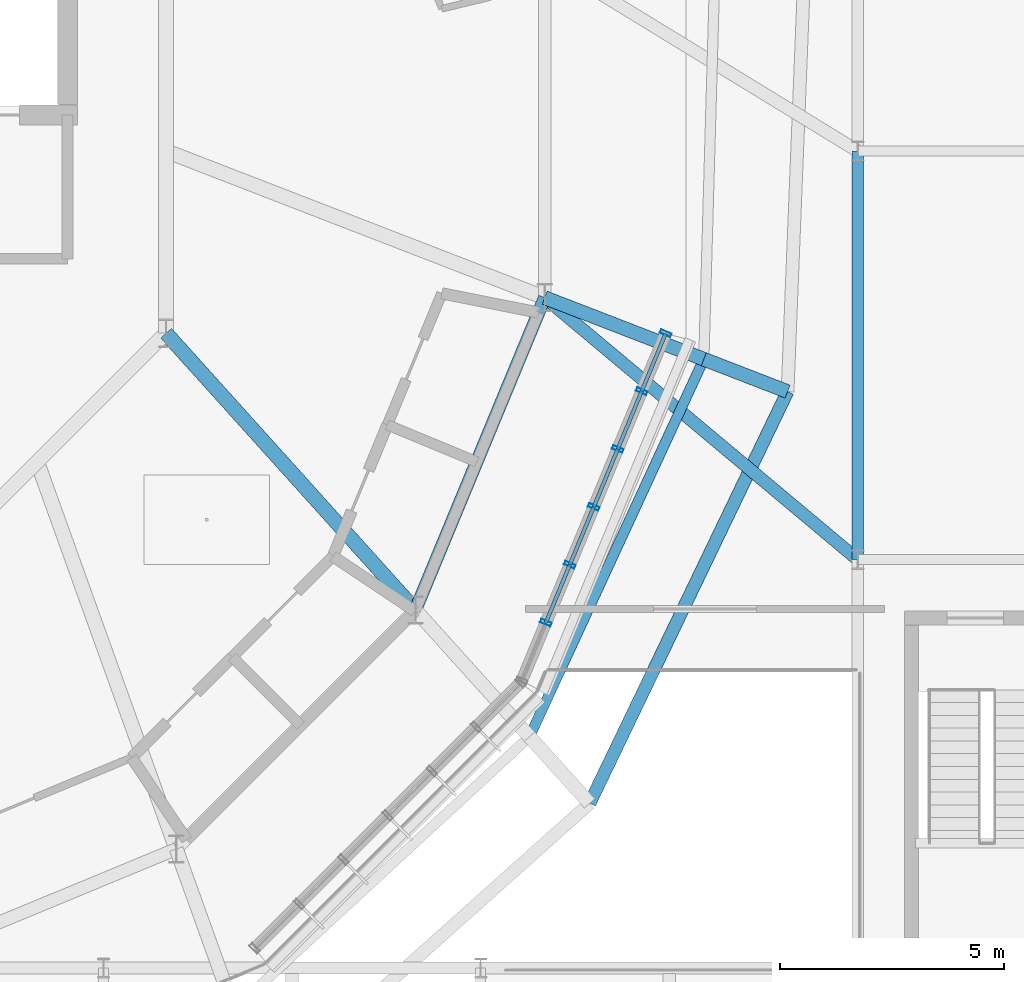
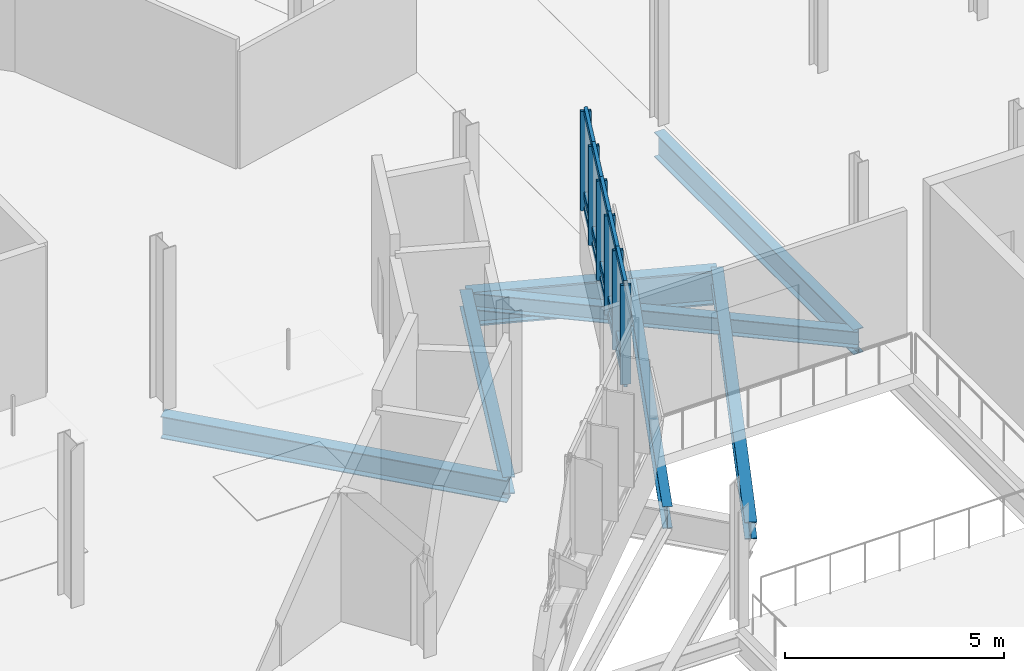
# One storey, part 32 of 139: 21 members, 8 beams, 1 element without a shape of its own.
"""IFC4 building model written with IfcOpenShell, lengths in metres."""

from ifc_helpers import new_model, si_unit, derived_unit, direction, frame, origin, origin_2d, place, context, subcontext, project, spatial, hollow_rectangle, i_section, extrude, material, layer, layer_set, material_profile, profile_set, type_object, element, aggregate, save


model = new_model("IFC4")

# Units and contexts
model_context = context("Model", 3, precision=1e-05, world=origin(), true_north=direction((0.0, 1.0)))
body_context = subcontext(model_context, "Body", "Model", "MODEL_VIEW")
ifc_project = project(units=[si_unit("LENGTHUNIT", "METRE"), si_unit("AREAUNIT", "SQUARE_METRE"), si_unit("VOLUMEUNIT", "CUBIC_METRE"), si_unit("PLANEANGLEUNIT", "RADIAN"), si_unit("MASSUNIT", "GRAM", prefix="KILO"), derived_unit("THERMALTRANSMITTANCEUNIT", [(si_unit("MASSUNIT", "GRAM", prefix="KILO"), 1), (si_unit("TIMEUNIT", "SECOND"), -3), (si_unit("THERMODYNAMICTEMPERATUREUNIT", "KELVIN"), -1)])], contexts=[model_context])

# Site, building, storey
site_placement = place(None, origin())
site = spatial("IfcSite", under=ifc_project, at=site_placement, CompositionType="ELEMENT")
building_placement = place(site_placement, origin())
building = spatial("IfcBuilding", under=site, at=building_placement, Name="Makaiwela Harbour Ferry Terminal", CompositionType="ELEMENT")
storey_placement = place(building_placement, frame((0.0, 0.0, 5.10009765625)))
storey = spatial("IfcBuildingStorey", under=building, at=storey_placement, Name="L01", CompositionType="ELEMENT", Elevation=5.10009765625)

# Curtain wall, members
ifc_material_1 = material(Name="Marine anodised aluminium 6063-T6", Category="aluminium")
ifc_layer = layer(ifc_material_1, 0.199951171875)
ifc_layer_set = layer_set([ifc_layer], Name="Marine anodised aluminium 6063-T6")
curtain_wall_type = type_object("IfcCurtainWallType", Name="ENV-CW-03", PredefinedType="USERDEFINED", material=ifc_layer_set)
curtain_wall_placement = place(storey_placement, origin())
curtain_wall = element("IfcCurtainWall", 1, at=curtain_wall_placement, inside=storey, type_object=curtain_wall_type, Name="Unitised Curtain Wall CWA-019", ObjectType="UNITIZED CURTAIN WALL", PredefinedType="USERDEFINED")
ifc_material_profile_1 = material_profile(ifc_material_1, hollow_rectangle(XDim=0.0849609375, YDim=0.25, WallThickness=0.0048828125, at=origin_2d()), Name="CWM-250X85")
ifc_profile_set_1 = profile_set([ifc_material_profile_1], Name="Marine anodised aluminium 6063-T6")
member_type_1 = type_object("IfcMemberType", Name="CW-MUL-250", PredefinedType="MULLION", material=ifc_profile_set_1)
member_1_placement = place(storey_placement, frame((56.054931640625, 57.095947265625, 1.47998046875), z_axis=(0.0, 0.0, 1.0), x_axis=(0.382683432365, 0.923879532511, 0.0)))
member_1 = element("IfcMember", 2, at=member_1_placement, type_object=member_type_1, Name="Curtain Wall Mullion CWA-019-2", PredefinedType="MULLION", context=body_context, shape_type="SweptSolid", body=[
    extrude(hollow_rectangle(XDim=0.0849609375, YDim=0.25, WallThickness=0.0048828125, at=origin_2d()), origin(), (0.0, 0.0, 1.0), 2.760009765625),
])
member_2_placement = place(storey_placement, frame((56.588623046875, 58.384521484375, 1.47998046875), z_axis=(0.0, 0.0, 1.0), x_axis=(0.382683432365, 0.923879532511, 0.0)))
member_2 = element("IfcMember", 3, at=member_2_placement, type_object=member_type_1, Name="Curtain Wall Mullion CWA-019-3", PredefinedType="MULLION", context=body_context, shape_type="SweptSolid", body=[
    extrude(hollow_rectangle(XDim=0.0849609375, YDim=0.25, WallThickness=0.0048828125, at=origin_2d()), origin(), (0.0, 0.0, 1.0), 2.760009765625),
])
member_3_placement = place(storey_placement, frame((57.122314453125, 59.6728515625, 1.47998046875), z_axis=(0.0, 0.0, 1.0), x_axis=(0.382683432365, 0.923879532511, 0.0)))
member_3 = element("IfcMember", 4, at=member_3_placement, type_object=member_type_1, Name="Curtain Wall Mullion CWA-019-4", PredefinedType="MULLION", context=body_context, shape_type="SweptSolid", body=[
    extrude(hollow_rectangle(XDim=0.0849609375, YDim=0.25, WallThickness=0.0048828125, at=origin_2d()), origin(), (0.0, 0.0, 1.0), 2.760009765625),
])
member_4_placement = place(storey_placement, frame((57.656005859375, 60.961181640625, 1.47998046875), z_axis=(0.0, 0.0, 1.0), x_axis=(0.382683432365, 0.923879532511, 0.0)))
member_4 = element("IfcMember", 5, at=member_4_placement, type_object=member_type_1, Name="Curtain Wall Mullion CWA-019-5", PredefinedType="MULLION", context=body_context, shape_type="SweptSolid", body=[
    extrude(hollow_rectangle(XDim=0.0849609375, YDim=0.25, WallThickness=0.0048828125, at=origin_2d()), origin(), (0.0, 0.0, 1.0), 2.760009765625),
])
member_5_placement = place(storey_placement, frame((58.189697265625, 62.249755859375, 1.47998046875), z_axis=(0.0, 0.0, 1.0), x_axis=(0.382683432365, 0.923879532511, 0.0)))
member_5 = element("IfcMember", 6, at=member_5_placement, type_object=member_type_1, Name="Curtain Wall Mullion CWA-019-6", PredefinedType="MULLION", context=body_context, shape_type="SweptSolid", body=[
    extrude(hollow_rectangle(XDim=0.0849609375, YDim=0.25, WallThickness=0.0048828125, at=origin_2d()), origin(), (0.0, 0.0, 1.0), 2.760009765625),
])
member_6_placement = place(storey_placement, frame((58.723388671875, 63.538330078125, 1.47998046875), z_axis=(0.0, 0.0, 1.0), x_axis=(0.382683432365, 0.923879532511, 0.0)))
member_6 = element("IfcMember", 7, at=member_6_placement, type_object=member_type_1, Name="Curtain Wall Mullion CWA-019-7", PredefinedType="MULLION", context=body_context, shape_type="SweptSolid", body=[
    extrude(hollow_rectangle(XDim=0.0849609375, YDim=0.25, WallThickness=0.0048828125, at=origin_2d()), origin(), (0.0, 0.0, 1.0), 2.760009765625),
])
ifc_material_profile_2 = material_profile(ifc_material_1, hollow_rectangle(XDim=0.0849609375, YDim=0.199951171875, WallThickness=0.0048828125, at=origin_2d()), Name="CWT-200X85")
ifc_profile_set_2 = profile_set([ifc_material_profile_2], Name="Marine anodised aluminium 6063-T6")
member_type_2 = type_object("IfcMemberType", Name="CW-TRN-200", PredefinedType="USERDEFINED", material=ifc_profile_set_2)
member_7_placement = place(storey_placement, frame((56.054931640625, 57.095947265625, 1.47998046875), z_axis=(0.382650683858, 0.923893096707, 0.0), x_axis=(-0.923893096707, 0.382650683858, 0.0)))
member_7 = element("IfcMember", 8, at=member_7_placement, type_object=member_type_2, Name="Curtain Wall Transom CWA-019-2-1", ObjectType="TRANSOM", PredefinedType="USERDEFINED", context=body_context, shape_type="SweptSolid", body=[
    extrude(hollow_rectangle(XDim=0.0849609375, YDim=0.199951171875, WallThickness=0.0048828125, at=origin_2d()), origin(), (0.0, 0.0, 1.0), 1.394775390625),
])
member_8_placement = place(storey_placement, frame((56.054931640625, 57.095947265625, 1.89990234375), z_axis=(0.382650683858, 0.923893096707, 0.0), x_axis=(-0.923893096707, 0.382650683858, 0.0)))
member_8 = element("IfcMember", 9, at=member_8_placement, type_object=member_type_2, Name="Curtain Wall Transom CWA-019-2-2", ObjectType="TRANSOM", PredefinedType="USERDEFINED", context=body_context, shape_type="SweptSolid", body=[
    extrude(hollow_rectangle(XDim=0.0849609375, YDim=0.199951171875, WallThickness=0.0048828125, at=origin_2d()), origin(), (0.0, 0.0, 1.0), 1.394775390625),
])
member_9_placement = place(storey_placement, frame((56.054931640625, 57.095947265625, 4.239990234375), z_axis=(0.382650683858, 0.923893096707, 0.0), x_axis=(-0.923893096707, 0.382650683858, 0.0)))
member_9 = element("IfcMember", 10, at=member_9_placement, type_object=member_type_2, Name="Curtain Wall Transom CWA-019-2-3", ObjectType="TRANSOM", PredefinedType="USERDEFINED", context=body_context, shape_type="SweptSolid", body=[
    extrude(hollow_rectangle(XDim=0.0849609375, YDim=0.199951171875, WallThickness=0.0048828125, at=origin_2d()), origin(), (0.0, 0.0, 1.0), 1.394775390625),
])
member_10_placement = place(storey_placement, frame((56.588623046875, 58.384521484375, 1.47998046875), z_axis=(0.382712576749, 0.923867459974, 0.0), x_axis=(-0.923867459974, 0.382712576749, 0.0)))
member_10 = element("IfcMember", 11, at=member_10_placement, type_object=member_type_2, Name="Curtain Wall Transom CWA-019-3-1", ObjectType="TRANSOM", PredefinedType="USERDEFINED", context=body_context, shape_type="SweptSolid", body=[
    extrude(hollow_rectangle(XDim=0.0849609375, YDim=0.199951171875, WallThickness=0.0048828125, at=origin_2d()), origin(), (0.0, 0.0, 1.0), 1.39453125),
])
member_11_placement = place(storey_placement, frame((56.588623046875, 58.384521484375, 1.89990234375), z_axis=(0.382712576749, 0.923867459974, 0.0), x_axis=(-0.923867459974, 0.382712576749, 0.0)))
member_11 = element("IfcMember", 12, at=member_11_placement, type_object=member_type_2, Name="Curtain Wall Transom CWA-019-3-2", ObjectType="TRANSOM", PredefinedType="USERDEFINED", context=body_context, shape_type="SweptSolid", body=[
    extrude(hollow_rectangle(XDim=0.0849609375, YDim=0.199951171875, WallThickness=0.0048828125, at=origin_2d()), origin(), (0.0, 0.0, 1.0), 1.39453125),
])
member_12_placement = place(storey_placement, frame((56.588623046875, 58.384521484375, 4.239990234375), z_axis=(0.382712576749, 0.923867459974, 0.0), x_axis=(-0.923867459974, 0.382712576749, 0.0)))
member_12 = element("IfcMember", 13, at=member_12_placement, type_object=member_type_2, Name="Curtain Wall Transom CWA-019-3-3", ObjectType="TRANSOM", PredefinedType="USERDEFINED", context=body_context, shape_type="SweptSolid", body=[
    extrude(hollow_rectangle(XDim=0.0849609375, YDim=0.199951171875, WallThickness=0.0048828125, at=origin_2d()), origin(), (0.0, 0.0, 1.0), 1.39453125),
])
member_13_placement = place(storey_placement, frame((57.122314453125, 59.6728515625, 1.47998046875), z_axis=(0.382712576749, 0.923867459974, 0.0), x_axis=(-0.923867459974, 0.382712576749, 0.0)))
member_13 = element("IfcMember", 14, at=member_13_placement, type_object=member_type_2, Name="Curtain Wall Transom CWA-019-4-1", ObjectType="TRANSOM", PredefinedType="USERDEFINED", context=body_context, shape_type="SweptSolid", body=[
    extrude(hollow_rectangle(XDim=0.0849609375, YDim=0.199951171875, WallThickness=0.0048828125, at=origin_2d()), origin(), (0.0, 0.0, 1.0), 1.39453125),
])
member_14_placement = place(storey_placement, frame((57.122314453125, 59.6728515625, 1.89990234375), z_axis=(0.382712576749, 0.923867459974, 0.0), x_axis=(-0.923867459974, 0.382712576749, 0.0)))
member_14 = element("IfcMember", 15, at=member_14_placement, type_object=member_type_2, Name="Curtain Wall Transom CWA-019-4-2", ObjectType="TRANSOM", PredefinedType="USERDEFINED", context=body_context, shape_type="SweptSolid", body=[
    extrude(hollow_rectangle(XDim=0.0849609375, YDim=0.199951171875, WallThickness=0.0048828125, at=origin_2d()), origin(), (0.0, 0.0, 1.0), 1.39453125),
])
member_15_placement = place(storey_placement, frame((57.122314453125, 59.6728515625, 4.239990234375), z_axis=(0.382712576749, 0.923867459974, 0.0), x_axis=(-0.923867459974, 0.382712576749, 0.0)))
member_15 = element("IfcMember", 16, at=member_15_placement, type_object=member_type_2, Name="Curtain Wall Transom CWA-019-4-3", ObjectType="TRANSOM", PredefinedType="USERDEFINED", context=body_context, shape_type="SweptSolid", body=[
    extrude(hollow_rectangle(XDim=0.0849609375, YDim=0.199951171875, WallThickness=0.0048828125, at=origin_2d()), origin(), (0.0, 0.0, 1.0), 1.39453125),
])
member_16_placement = place(storey_placement, frame((57.656005859375, 60.961181640625, 1.47998046875), z_axis=(0.382650683858, 0.923893096707, 0.0), x_axis=(-0.923893096707, 0.382650683858, 0.0)))
member_16 = element("IfcMember", 17, at=member_16_placement, type_object=member_type_2, Name="Curtain Wall Transom CWA-019-5-1", ObjectType="TRANSOM", PredefinedType="USERDEFINED", context=body_context, shape_type="SweptSolid", body=[
    extrude(hollow_rectangle(XDim=0.0849609375, YDim=0.199951171875, WallThickness=0.0048828125, at=origin_2d()), origin(), (0.0, 0.0, 1.0), 1.394775390625),
])
member_17_placement = place(storey_placement, frame((57.656005859375, 60.961181640625, 1.89990234375), z_axis=(0.382650683858, 0.923893096707, 0.0), x_axis=(-0.923893096707, 0.382650683858, 0.0)))
member_17 = element("IfcMember", 18, at=member_17_placement, type_object=member_type_2, Name="Curtain Wall Transom CWA-019-5-2", ObjectType="TRANSOM", PredefinedType="USERDEFINED", context=body_context, shape_type="SweptSolid", body=[
    extrude(hollow_rectangle(XDim=0.0849609375, YDim=0.199951171875, WallThickness=0.0048828125, at=origin_2d()), origin(), (0.0, 0.0, 1.0), 1.394775390625),
])
member_18_placement = place(storey_placement, frame((57.656005859375, 60.961181640625, 4.239990234375), z_axis=(0.382650683858, 0.923893096707, 0.0), x_axis=(-0.923893096707, 0.382650683858, 0.0)))
member_18 = element("IfcMember", 19, at=member_18_placement, type_object=member_type_2, Name="Curtain Wall Transom CWA-019-5-3", ObjectType="TRANSOM", PredefinedType="USERDEFINED", context=body_context, shape_type="SweptSolid", body=[
    extrude(hollow_rectangle(XDim=0.0849609375, YDim=0.199951171875, WallThickness=0.0048828125, at=origin_2d()), origin(), (0.0, 0.0, 1.0), 1.394775390625),
])
member_19_placement = place(storey_placement, frame((58.189697265625, 62.249755859375, 1.47998046875), z_axis=(0.382650683858, 0.923893096707, 0.0), x_axis=(-0.923893096707, 0.382650683858, 0.0)))
member_19 = element("IfcMember", 20, at=member_19_placement, type_object=member_type_2, Name="Curtain Wall Transom CWA-019-6-1", ObjectType="TRANSOM", PredefinedType="USERDEFINED", context=body_context, shape_type="SweptSolid", body=[
    extrude(hollow_rectangle(XDim=0.0849609375, YDim=0.199951171875, WallThickness=0.0048828125, at=origin_2d()), origin(), (0.0, 0.0, 1.0), 1.394775390625),
])
member_20_placement = place(storey_placement, frame((58.189697265625, 62.249755859375, 1.89990234375), z_axis=(0.382650683858, 0.923893096707, 0.0), x_axis=(-0.923893096707, 0.382650683858, 0.0)))
member_20 = element("IfcMember", 21, at=member_20_placement, type_object=member_type_2, Name="Curtain Wall Transom CWA-019-6-2", ObjectType="TRANSOM", PredefinedType="USERDEFINED", context=body_context, shape_type="SweptSolid", body=[
    extrude(hollow_rectangle(XDim=0.0849609375, YDim=0.199951171875, WallThickness=0.0048828125, at=origin_2d()), origin(), (0.0, 0.0, 1.0), 1.394775390625),
])
member_21_placement = place(storey_placement, frame((58.189697265625, 62.249755859375, 4.239990234375), z_axis=(0.382650683858, 0.923893096707, 0.0), x_axis=(-0.923893096707, 0.382650683858, 0.0)))
member_21 = element("IfcMember", 22, at=member_21_placement, type_object=member_type_2, Name="Curtain Wall Transom CWA-019-6-3", ObjectType="TRANSOM", PredefinedType="USERDEFINED", context=body_context, shape_type="SweptSolid", body=[
    extrude(hollow_rectangle(XDim=0.0849609375, YDim=0.199951171875, WallThickness=0.0048828125, at=origin_2d()), origin(), (0.0, 0.0, 1.0), 1.394775390625),
])
aggregate(curtain_wall, [member_1, member_2, member_3, member_4, member_5, member_6, member_7, member_8, member_9, member_10, member_11, member_12, member_13, member_14, member_15, member_16, member_17, member_18, member_19, member_20, member_21])

# Beams
ifc_material_2 = material(Name="Steel ASTM A992 Grade 50", Category="steel")
ifc_material_profile_3 = material_profile(ifc_material_2, i_section(OverallWidth=0.280029296875, OverallDepth=0.462890625, WebThickness=0.0107421875, FlangeThickness=0.017333984375, at=origin_2d()), Name="W18X76")
ifc_profile_set_3 = profile_set([ifc_material_profile_3], Name="Steel ASTM A992 Grade 50")
beam_type_1 = type_object("IfcBeamType", Name="STR-BM-W18X76", PredefinedType="BEAM", material=ifc_profile_set_3)
beam_1_placement = place(storey_placement, frame((56.029296875, 64.334716796875, -0.51171875), z_axis=(0.766823765562, -0.6418577043, 0.0), x_axis=(0.6418577043, 0.766823765562, 0.0)))
element("IfcBeam", 23, at=beam_1_placement, inside=storey, type_object=beam_type_1, Name="Neck tie beam 116", PredefinedType="BEAM", context=body_context, shape_type="SweptSolid", body=[
    extrude(i_section(OverallWidth=0.280029296875, OverallDepth=0.462890625, WebThickness=0.0107421875, FlangeThickness=0.017333984375, at=origin_2d()), origin(), (0.0, 0.0, 1.0), 9.09033203125),
])
ifc_material_profile_4 = material_profile(ifc_material_2, i_section(OverallWidth=0.324951171875, OverallDepth=0.615966796875, WebThickness=0.013916015625, FlangeThickness=0.021484375, at=origin_2d()), Name="W24X117")
ifc_profile_set_4 = profile_set([ifc_material_profile_4], Name="Steel ASTM A992 Grade 50")
beam_type_2 = type_object("IfcBeamType", Name="STR-GRD-W24X117", PredefinedType="USERDEFINED", material=ifc_profile_set_4)
beam_2_placement = place(storey_placement, frame((47.593017578125, 63.543701171875, -0.588134765625), z_axis=(0.669284852474, -0.743005912661, 0.0), x_axis=(0.743005912661, 0.669284852474, 0.0)))
element("IfcBeam", 24, at=beam_2_placement, inside=storey, type_object=beam_type_2, Name="Drum radial girder 72", ObjectType="GIRDER", PredefinedType="USERDEFINED", context=body_context, shape_type="SweptSolid", body=[
    extrude(i_section(OverallWidth=0.324951171875, OverallDepth=0.615966796875, WebThickness=0.013916015625, FlangeThickness=0.021484375, at=origin_2d()), origin(), (0.0, 0.0, 1.0), 8.299072265625),
])
ifc_material_profile_5 = material_profile(ifc_material_2, i_section(OverallWidth=0.22900390625, OverallDepth=0.612060546875, WebThickness=0.011962890625, FlangeThickness=0.01953125, at=origin_2d()), Name="W24X84")
ifc_profile_set_5 = profile_set([ifc_material_profile_5], Name="Steel ASTM A992 Grade 50")
beam_type_3 = type_object("IfcBeamType", Name="STR-GRD-W24X84", PredefinedType="USERDEFINED", material=ifc_profile_set_5)
beam_3_placement = place(storey_placement, frame((55.690673828125, 54.55419921875, -0.586181640625), z_axis=(0.419171842319, 0.907906915167, 0.0), x_axis=(-0.907906915167, 0.419171842319, 0.0)))
element("IfcBeam", 25, at=beam_3_placement, inside=storey, type_object=beam_type_3, Name="Drum overhang tie girder 101", ObjectType="GIRDER", PredefinedType="USERDEFINED", context=body_context, shape_type="SweptSolid", body=[
    extrude(i_section(OverallWidth=0.22900390625, OverallDepth=0.612060546875, WebThickness=0.011962890625, FlangeThickness=0.01953125, at=origin_2d()), origin(), (0.0, 0.0, 1.0), 9.261962890625),
])
ifc_material_profile_6 = material_profile(ifc_material_2, i_section(OverallWidth=0.256103515625, OverallDepth=0.693115234375, WebThickness=0.014404296875, FlangeThickness=0.023681640625, at=origin_2d()), Name="W27X114")
ifc_profile_set_6 = profile_set([ifc_material_profile_6], Name="Steel ASTM A992 Grade 50")
beam_type_4 = type_object("IfcBeamType", Name="STR-GRD-W27X114", PredefinedType="USERDEFINED", material=ifc_profile_set_6)
beam_4_placement = place(storey_placement, frame((63.0, 58.5, -0.626708984375), z_axis=(0.0, 1.0, 0.0), x_axis=(-1.0, 0.0, 0.0)))
element("IfcBeam", 26, at=beam_4_placement, inside=storey, type_object=beam_type_4, Name="Primary Y girder 929", ObjectType="GIRDER", PredefinedType="USERDEFINED", context=body_context, shape_type="SweptSolid", body=[
    extrude(i_section(OverallWidth=0.256103515625, OverallDepth=0.693115234375, WebThickness=0.014404296875, FlangeThickness=0.023681640625, at=origin_2d()), origin(), (0.0, 0.0, 1.0), 9.10009765625),
])
ifc_material_profile_7 = material_profile(ifc_material_2, i_section(OverallWidth=0.31005859375, OverallDepth=0.949951171875, WebThickness=0.0244140625, FlangeThickness=0.0439453125, at=origin_2d()), Name="W36X256")
ifc_profile_set_7 = profile_set([ifc_material_profile_7], Name="Steel ASTM A992 Grade 50")
beam_type_5 = type_object("IfcBeamType", Name="STR-GRD-W36X256", PredefinedType="USERDEFINED", material=ifc_profile_set_7)
beam_5_placement = place(storey_placement, frame((56.029296875, 64.334716796875, -0.755126953125), z_axis=(0.93258344757, -0.360954447706, 0.0), x_axis=(0.360954447706, 0.93258344757, 0.0)))
element("IfcBeam", 27, at=beam_5_placement, inside=storey, type_object=beam_type_5, Name="Drum radial overhang 76", ObjectType="GIRDER", PredefinedType="USERDEFINED", context=body_context, shape_type="SweptSolid", body=[
    extrude(i_section(OverallWidth=0.31005859375, OverallDepth=0.949951171875, WebThickness=0.0244140625, FlangeThickness=0.0439453125, at=origin_2d()), origin(), (0.0, 0.0, 1.0), 3.7998046875),
])
beam_6_placement = place(storey_placement, frame((59.572998046875, 62.963134765625, -0.755126953125), z_axis=(0.932585330079, -0.360949583906, 0.0), x_axis=(0.360949583906, 0.932585330079, 0.0)))
element("IfcBeam", 28, at=beam_6_placement, inside=storey, type_object=beam_type_5, Name="Drum overhang radial girder 77", ObjectType="GIRDER", PredefinedType="USERDEFINED", context=body_context, shape_type="SweptSolid", body=[
    extrude(i_section(OverallWidth=0.31005859375, OverallDepth=0.949951171875, WebThickness=0.0244140625, FlangeThickness=0.0439453125, at=origin_2d()), origin(), (0.0, 0.0, 1.0), 2.0),
])
ifc_material_profile_8 = material_profile(ifc_material_2, i_section(OverallWidth=0.283935546875, OverallDepth=0.47607421875, WebThickness=0.014892578125, FlangeThickness=0.02392578125, at=origin_2d()), Name="W18X106")
ifc_profile_set_8 = profile_set([ifc_material_profile_8], Name="Steel ASTM A992 Grade 50")
beam_type_6 = type_object("IfcBeamType", Name="STR-SPN-W18X106", PredefinedType="SPANDREL", material=ifc_profile_set_8)
beam_7_placement = place(storey_placement, frame((53.1474609375, 57.37744140625, -0.51806640625), z_axis=(0.382687752376, 0.923877743092, 0.0), x_axis=(-0.923877743092, 0.382687752376, 0.0)))
element("IfcBeam", 29, at=beam_7_placement, inside=storey, type_object=beam_type_6, Name="Drum column ring girder 26", PredefinedType="SPANDREL", context=body_context, shape_type="SweptSolid", body=[
    extrude(i_section(OverallWidth=0.283935546875, OverallDepth=0.47607421875, WebThickness=0.014892578125, FlangeThickness=0.02392578125, at=origin_2d()), origin(), (0.0, 0.0, 1.0), 7.530517578125),
])
beam_8_placement = place(storey_placement, frame((57.029296875, 53.068115234375, -0.51806640625), z_axis=(0.433198134775, 0.901298716313, 0.0), x_axis=(-0.901298716313, 0.433198134775, 0.0)))
element("IfcBeam", 30, at=beam_8_placement, inside=storey, type_object=beam_type_6, Name="Drum perimeter spandrel 114", PredefinedType="SPANDREL", context=body_context, shape_type="SweptSolid", body=[
    extrude(i_section(OverallWidth=0.283935546875, OverallDepth=0.47607421875, WebThickness=0.014892578125, FlangeThickness=0.02392578125, at=origin_2d()), origin(), (0.0, 0.0, 1.0), 10.177734375),
])

save(model, "model.ifc")
